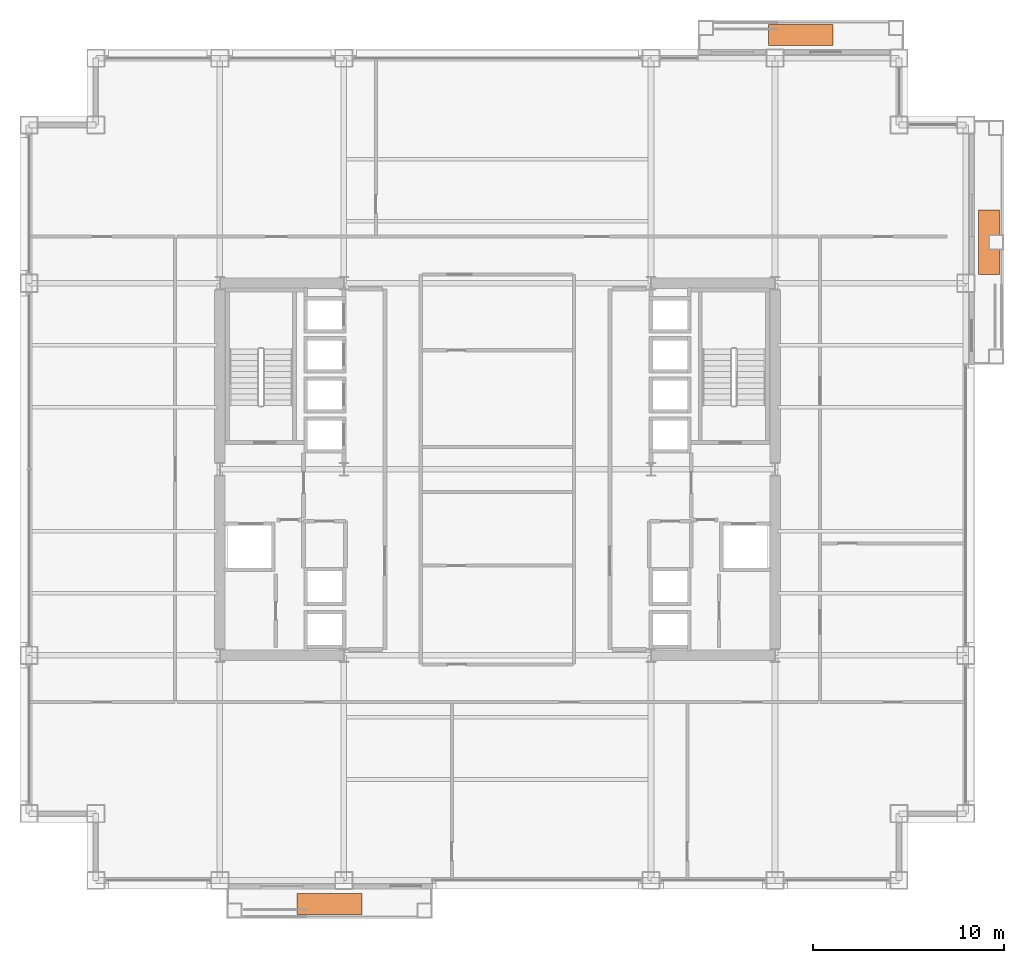
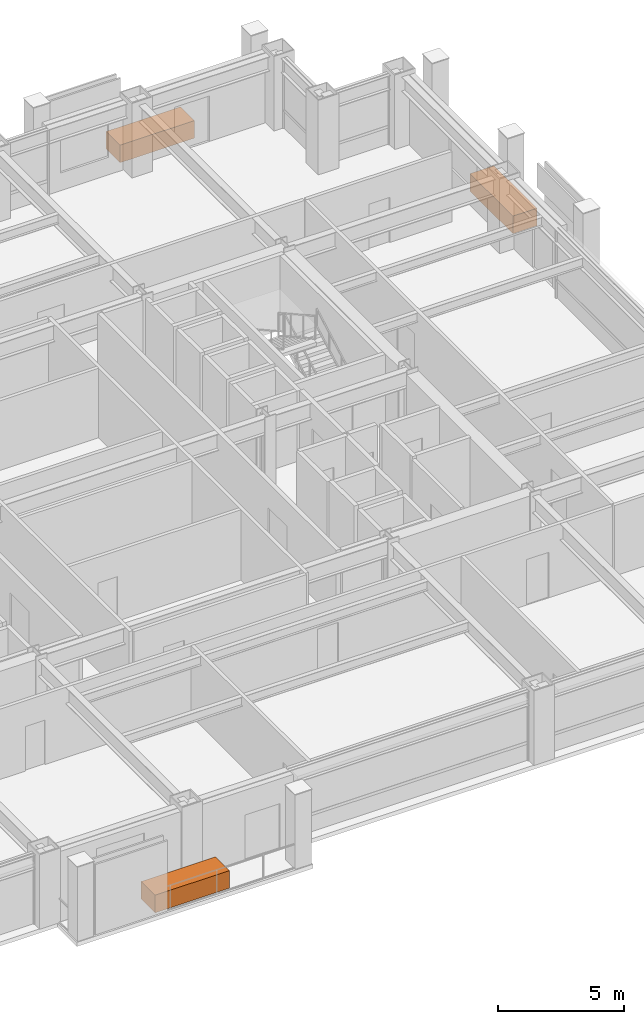
# One storey, part 31 of 31: 3 proxies.
"""IFC4 building model written with IfcOpenShell, lengths in metres."""

from ifc_helpers import new_model, si_unit, direction, frame, origin, origin_2d, place, context, subcontext, project, spatial, rectangle, extrude, material, type_object, element, save


model = new_model("IFC4")

# Units and contexts
model_context = context("Model", 3, precision=1e-05, world=origin(), true_north=direction((0.0, 1.0)))
body_context = subcontext(model_context, "Body", "Model", "MODEL_VIEW")
ifc_project = project(units=[si_unit("LENGTHUNIT", "METRE"), si_unit("AREAUNIT", "SQUARE_METRE"), si_unit("VOLUMEUNIT", "CUBIC_METRE"), si_unit("PLANEANGLEUNIT", "RADIAN"), si_unit("MASSUNIT", "GRAM", prefix="KILO")], contexts=[model_context])

# Site, building, storey
site_placement = place(None, origin())
site = spatial("IfcSite", under=ifc_project, at=site_placement, CompositionType="ELEMENT")
building_placement = place(site_placement, origin())
building = spatial("IfcBuilding", under=site, at=building_placement, Name="Brelmoor Portico Tower", CompositionType="ELEMENT")
storey_placement = place(building_placement, frame((0.0, 0.0, 31.199951171875)))
storey = spatial("IfcBuildingStorey", under=building, at=storey_placement, Name="L07", CompositionType="ELEMENT", Elevation=31.199951171875)

# Proxies
ifc_material = material(Name="Architectural Precast Concrete C40", Category="concrete")
building_element_proxy_type = type_object("IfcBuildingElementProxyType", Name="TREE PLANTER", PredefinedType="USERDEFINED", material=ifc_material)
for number, where, z_axis, x_axis, name in (
    (1, (-8.800048828125, -22.77490234375, 0.0), (0.0, 0.0, 1.0), (1.0, 0.0, 0.0), "L07 Planted Tree Planter S"),
    (2, (15.89990234375, 22.77490234375, 0.0), (0.0, 0.0, 1.0), (1.0, 0.0, 0.0), "L07 Planted Tree Planter N"),
    (3, (25.77490234375, 11.89990234375, 0.0), (0.0, 0.0, 1.0), (0.0, 1.0, 0.0), "L07 Planted Tree Planter E"),
):
    element("IfcBuildingElementProxy", number, at=place(storey_placement, frame(where, z_axis=z_axis, x_axis=x_axis)), inside=storey, type_object=building_element_proxy_type, Name=name, ObjectType="PLANTER", PredefinedType="USERDEFINED", context=body_context, shape_type="SweptSolid", body=[
        extrude(rectangle(XDim=3.39990234375, YDim=1.10009765625, at=origin_2d()), origin(), (0.0, 0.0, 1.0), 0.85009765625),
    ])

save(model, "model.ifc")
